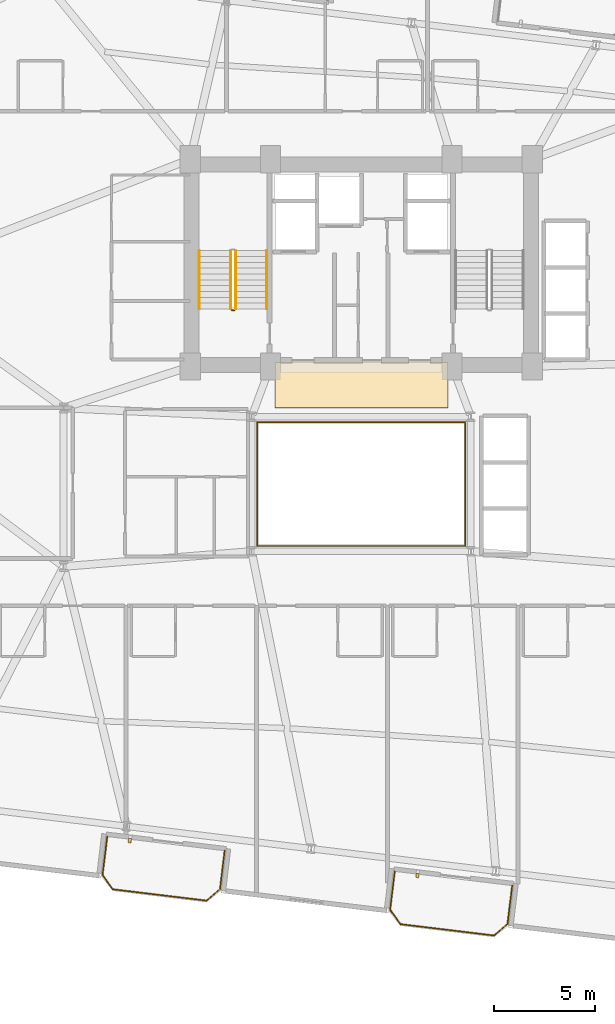
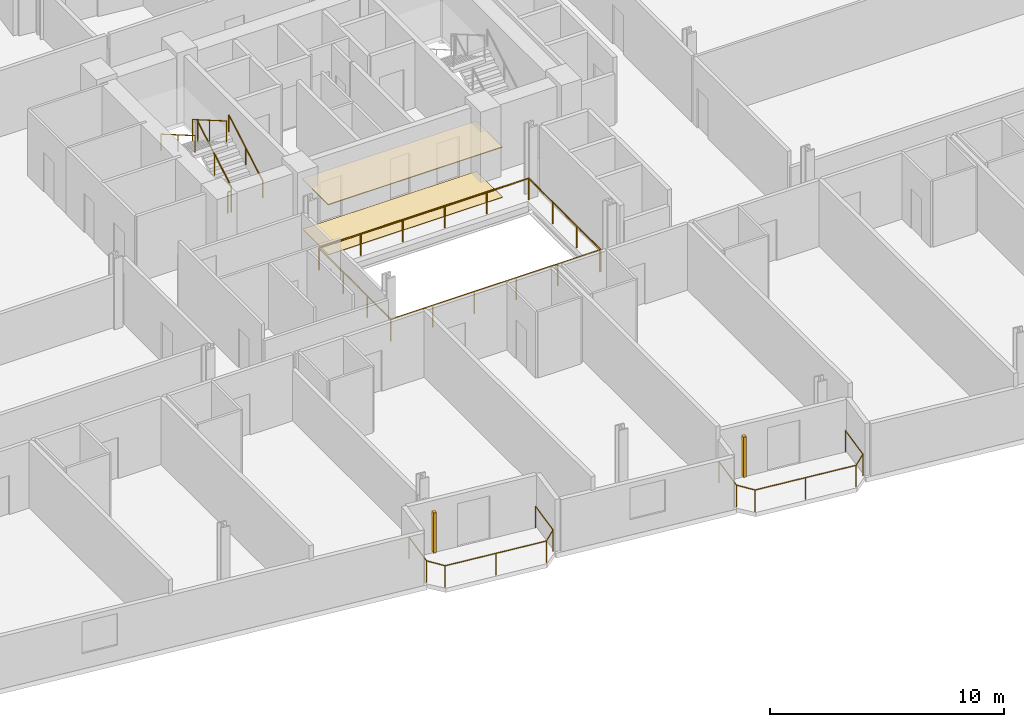
# One storey, part 25 of 26: 9 railings, 2 coverings, 2 shading devices.
"""IFC4 building model written with IfcOpenShell, lengths in metres."""

from ifc_helpers import new_model, si_unit, direction, frame, origin, origin_2d, place, context, subcontext, project, spatial, rectangle, circle, extrude, source, transform, mapped, material, layer, layer_set, type_object, element, save


model = new_model("IFC4")

# Units and contexts
model_context = context("Model", 3, precision=1e-05, world=origin(), true_north=direction((0.0, 1.0)))
body_context = subcontext(model_context, "Body", "Model", "MODEL_VIEW")
ifc_project = project(units=[si_unit("LENGTHUNIT", "METRE"), si_unit("AREAUNIT", "SQUARE_METRE"), si_unit("VOLUMEUNIT", "CUBIC_METRE"), si_unit("PLANEANGLEUNIT", "RADIAN"), si_unit("MASSUNIT", "GRAM", prefix="KILO")], contexts=[model_context])

# Site, building, storey
site_placement = place(None, origin())
site = spatial("IfcSite", under=ifc_project, at=site_placement, CompositionType="ELEMENT")
building_placement = place(site_placement, origin())
building = spatial("IfcBuilding", under=site, at=building_placement, Name="Varnelok Gate Tower", CompositionType="ELEMENT")
storey_placement = place(building_placement, frame((0.0, 0.0, 125.39990234375)))
storey = spatial("IfcBuildingStorey", under=building, at=storey_placement, Name="L31", CompositionType="ELEMENT", Elevation=125.39990234375)

# Railings
ifc_material_1 = material(Name="Tempered Laminated Balustrade Glass", Category="glass")
railing_type_1 = type_object("IfcRailingType", Name="RL-ATR-GUARD1150", PredefinedType="GUARDRAIL", material=ifc_material_1)
railing_1_placement = place(storey_placement, frame((34.02001953125, 25.929931640625, 0.0)))
element("IfcRailing", 1, at=railing_1_placement, inside=storey, type_object=railing_type_1, Name="L31 Internal Atrium South-West Guardrail", PredefinedType="GUARDRAIL", context=body_context, shape_type="SweptSolid", body=[
    extrude(circle(Radius=0.02392578125, at=origin_2d()), frame((0.0, 0.0, 1.1259765625), z_axis=(0.0, -1.0, 0.0), x_axis=(1.0, 0.0, 0.0)), (0.0, 0.0, 1.0), 6.10986328125),
    extrude(circle(Radius=0.02392578125, at=origin_2d()), frame((0.0, -6.10986328125, 1.1259765625), z_axis=(1.0, 0.0, 0.0), x_axis=(0.0, 1.0, 0.0)), (0.0, 0.0, 1.0), 10.31005859375),
    extrude(circle(Radius=0.02099609375, at=origin_2d()), origin(), (0.0, 0.0, 1.0), 1.101806640625),
    extrude(circle(Radius=0.02099609375, at=origin_2d()), frame((0.0, -2.03662109375, 0.0)), (0.0, 0.0, 1.0), 1.101806640625),
    extrude(circle(Radius=0.02099609375, at=origin_2d()), frame((0.0, -4.0732421875, 0.0)), (0.0, 0.0, 1.0), 1.101806640625),
    extrude(circle(Radius=0.02099609375, at=origin_2d()), frame((0.0, -6.10986328125, 0.0)), (0.0, 0.0, 1.0), 1.101806640625),
    extrude(circle(Radius=0.02099609375, at=origin_2d()), frame((2.06201171875, -6.10986328125, 0.0)), (0.0, 0.0, 1.0), 1.101806640625),
    extrude(circle(Radius=0.02099609375, at=origin_2d()), frame((4.1240234375, -6.10986328125, 0.0)), (0.0, 0.0, 1.0), 1.101806640625),
    extrude(circle(Radius=0.02099609375, at=origin_2d()), frame((6.18603515625, -6.10986328125, 0.0)), (0.0, 0.0, 1.0), 1.101806640625),
    extrude(circle(Radius=0.02099609375, at=origin_2d()), frame((8.248046875, -6.10986328125, 0.0)), (0.0, 0.0, 1.0), 1.101806640625),
    extrude(circle(Radius=0.02099609375, at=origin_2d()), frame((10.31005859375, -6.10986328125, 0.0)), (0.0, 0.0, 1.0), 1.101806640625),
])
railing_2_placement = place(storey_placement, frame((44.3798828125, 19.820068359375, 0.0)))
element("IfcRailing", 2, at=railing_2_placement, inside=storey, type_object=railing_type_1, Name="L31 Internal Atrium North-East Guardrail", PredefinedType="GUARDRAIL", context=body_context, shape_type="SweptSolid", body=[
    extrude(circle(Radius=0.02392578125, at=origin_2d()), frame((0.0, 0.0, 1.1259765625), z_axis=(0.0, 1.0, 0.0), x_axis=(-1.0, 0.0, 0.0)), (0.0, 0.0, 1.0), 6.159912109375),
    extrude(circle(Radius=0.02392578125, at=origin_2d()), frame((0.0, 6.159912109375, 1.1259765625), z_axis=(-1.0, 0.0, 0.0), x_axis=(0.0, -1.0, 0.0)), (0.0, 0.0, 1.0), 10.35986328125),
    extrude(circle(Radius=0.02099609375, at=origin_2d()), origin(), (0.0, 0.0, 1.0), 1.101806640625),
    extrude(circle(Radius=0.02099609375, at=origin_2d()), frame((0.0, 2.05322265625, 0.0)), (0.0, 0.0, 1.0), 1.101806640625),
    extrude(circle(Radius=0.02099609375, at=origin_2d()), frame((0.0, 4.106689453125, 0.0)), (0.0, 0.0, 1.0), 1.101806640625),
    extrude(circle(Radius=0.02099609375, at=origin_2d()), frame((0.0, 6.159912109375, 0.0)), (0.0, 0.0, 1.0), 1.101806640625),
    extrude(circle(Radius=0.02099609375, at=origin_2d()), frame((-2.072021484375, 6.159912109375, 0.0)), (0.0, 0.0, 1.0), 1.101806640625),
    extrude(circle(Radius=0.02099609375, at=origin_2d()), frame((-4.14404296875, 6.159912109375, 0.0)), (0.0, 0.0, 1.0), 1.101806640625),
    extrude(circle(Radius=0.02099609375, at=origin_2d()), frame((-6.2158203125, 6.159912109375, 0.0)), (0.0, 0.0, 1.0), 1.101806640625),
    extrude(circle(Radius=0.02099609375, at=origin_2d()), frame((-8.287841796875, 6.159912109375, 0.0)), (0.0, 0.0, 1.0), 1.101806640625),
    extrude(circle(Radius=0.02099609375, at=origin_2d()), frame((-10.35986328125, 6.159912109375, 0.0)), (0.0, 0.0, 1.0), 1.101806640625),
])
ifc_material_2 = material(Name="Low-E Laminated Double Glazing IGU", Category="glass")
railing_type_2 = type_object("IfcRailingType", Name="RL-BALC-1150", PredefinedType="BALUSTRADE", material=ifc_material_2)
railing_3_placement = place(storey_placement, frame((26.5703125, 5.375, 0.0)))
element("IfcRailing", 3, at=railing_3_placement, inside=storey, type_object=railing_type_2, Name="L31 South Terrace Balustrade 1", PredefinedType="BALUSTRADE", context=body_context, shape_type="SweptSolid", body=[
    extrude(circle(Radius=0.02392578125, at=origin_2d()), frame((0.0, 0.0, 1.1259765625), z_axis=(-0.120293392036, -0.992738384386, 0.0), x_axis=(0.992738384386, -0.120293392036, 0.0)), (0.0, 0.0, 1.0), 1.919921875),
    extrude(circle(Radius=0.02392578125, at=origin_2d()), frame((-0.23095703125, -1.906005859375, 1.1259765625), z_axis=(0.577971037086, -0.816057277579, 0.0), x_axis=(0.816057277579, 0.577971037086, 0.0)), (0.0, 0.0, 1.0), 0.877685546875),
    extrude(circle(Radius=0.02392578125, at=origin_2d()), frame((0.2763671875, -2.622314453125, 1.1259765625), z_axis=(0.992737542139, -0.120300342591, 0.0), x_axis=(0.120300342591, 0.992737542139, 0.0)), (0.0, 0.0, 1.0), 4.7001953125),
    extrude(circle(Radius=0.02392578125, at=origin_2d()), frame((4.9423828125, -3.187744140625, 1.1259765625), z_axis=(0.756303655992, 0.654220742513, 0.0), x_axis=(-0.654220742513, 0.756303655992, 0.0)), (0.0, 0.0, 1.0), 0.877685546875),
    extrude(circle(Radius=0.02392578125, at=origin_2d()), frame((5.606201171875, -2.613525390625, 1.1259765625), z_axis=(0.120418709125, 0.992723191274, 0.0), x_axis=(-0.992723191274, 0.120418709125, 0.0)), (0.0, 0.0, 1.0), 1.919921875),
    extrude(circle(Radius=0.02099609375, at=origin_2d()), origin(), (0.0, 0.0, 1.0), 1.101806640625),
    extrude(circle(Radius=0.02099609375, at=origin_2d()), frame((-0.23095703125, -1.906005859375, 0.0)), (0.0, 0.0, 1.0), 1.101806640625),
    extrude(circle(Radius=0.02099609375, at=origin_2d()), frame((0.2763671875, -2.622314453125, 0.0)), (0.0, 0.0, 1.0), 1.101806640625),
    extrude(circle(Radius=0.02099609375, at=origin_2d()), frame((2.609375, -2.905029296875, 0.0)), (0.0, 0.0, 1.0), 1.101806640625),
    extrude(circle(Radius=0.02099609375, at=origin_2d()), frame((4.9423828125, -3.187744140625, 0.0)), (0.0, 0.0, 1.0), 1.101806640625),
    extrude(circle(Radius=0.02099609375, at=origin_2d()), frame((5.606201171875, -2.613525390625, 0.0)), (0.0, 0.0, 1.0), 1.101806640625),
    extrude(circle(Radius=0.02099609375, at=origin_2d()), frame((5.83740234375, -0.70751953125, 0.0)), (0.0, 0.0, 1.0), 1.101806640625),
])
railing_4_placement = place(storey_placement, frame((40.86572265625, 3.64208984375, 0.0)))
element("IfcRailing", 4, at=railing_4_placement, inside=storey, type_object=railing_type_2, Name="L31 South Terrace Balustrade 2", PredefinedType="BALUSTRADE", context=body_context, shape_type="SweptSolid", body=[
    extrude(circle(Radius=0.02392578125, at=origin_2d()), frame((0.0, 0.0, 1.1259765625), z_axis=(-0.120418709125, -0.992723191274, 0.0), x_axis=(0.992723191274, -0.120418709125, 0.0)), (0.0, 0.0, 1.0), 1.919921875),
    extrude(circle(Radius=0.02392578125, at=origin_2d()), frame((-0.231201171875, -1.906005859375, 1.1259765625), z_axis=(0.57815621837, -0.815926091726, 0.0), x_axis=(0.815926091726, 0.57815621837, 0.0)), (0.0, 0.0, 1.0), 0.8779296875),
    extrude(circle(Radius=0.02392578125, at=origin_2d()), frame((0.2763671875, -2.622314453125, 1.1259765625), z_axis=(0.99273133746, -0.120351533534, 0.0), x_axis=(0.120351533534, 0.99273133746, 0.0)), (0.0, 0.0, 1.0), 4.7001953125),
    extrude(circle(Radius=0.02392578125, at=origin_2d()), frame((4.9423828125, -3.18798828125, 1.1259765625), z_axis=(0.756166036083, 0.654379802465, 0.0), x_axis=(-0.654379802465, 0.756166036083, 0.0)), (0.0, 0.0, 1.0), 0.8779296875),
    extrude(circle(Radius=0.02392578125, at=origin_2d()), frame((5.606201171875, -2.613525390625, 1.1259765625), z_axis=(0.120293392036, 0.992738384386, 0.0), x_axis=(-0.992738384386, 0.120293392036, 0.0)), (0.0, 0.0, 1.0), 1.919921875),
    extrude(circle(Radius=0.02099609375, at=origin_2d()), origin(), (0.0, 0.0, 1.0), 1.101806640625),
    extrude(circle(Radius=0.02099609375, at=origin_2d()), frame((-0.231201171875, -1.906005859375, 0.0)), (0.0, 0.0, 1.0), 1.101806640625),
    extrude(circle(Radius=0.02099609375, at=origin_2d()), frame((0.2763671875, -2.622314453125, 0.0)), (0.0, 0.0, 1.0), 1.101806640625),
    extrude(circle(Radius=0.02099609375, at=origin_2d()), frame((2.609375, -2.9052734375, 0.0)), (0.0, 0.0, 1.0), 1.101806640625),
    extrude(circle(Radius=0.02099609375, at=origin_2d()), frame((4.9423828125, -3.18798828125, 0.0)), (0.0, 0.0, 1.0), 1.101806640625),
    extrude(circle(Radius=0.02099609375, at=origin_2d()), frame((5.606201171875, -2.613525390625, 0.0)), (0.0, 0.0, 1.0), 1.101806640625),
    extrude(circle(Radius=0.02099609375, at=origin_2d()), frame((5.837158203125, -0.70751953125, 0.0)), (0.0, 0.0, 1.0), 1.101806640625),
])
ifc_material_3 = material(Name="Brushed Stainless Steel AISI 316", Category="steel")
railing_type_3 = type_object("IfcRailingType", Name="RL-HANDRAIL-900", PredefinedType="HANDRAIL", material=ifc_material_3)
railing_5_placement = place(storey_placement, frame((34.5, 31.60009765625, 0.168212890625)))
element("IfcRailing", 5, at=railing_5_placement, inside=storey, type_object=railing_type_3, Name="L31 ST-1 stair handrail 1", PredefinedType="HANDRAIL", context=body_context, shape_type="SweptSolid", body=[
    extrude(circle(Radius=0.02392578125, at=origin_2d()), frame((0.0, 0.0, 0.8759765625), z_axis=(0.0, 0.865038774852, 0.501705010941), x_axis=(-1.0, 0.0, 0.0)), (0.0, 0.0, 1.0), 3.352294921875),
    extrude(circle(Radius=0.02099609375, at=origin_2d()), origin(), (0.0, 0.0, 1.0), 0.851806640625),
    extrude(circle(Radius=0.02099609375, at=origin_2d()), frame((0.0, 1.449951171875, 0.8408203125)), (0.0, 0.0, 1.0), 0.851806640625),
    extrude(circle(Radius=0.02099609375, at=origin_2d()), frame((0.0, 2.89990234375, 1.681884765625)), (0.0, 0.0, 1.0), 0.851806640625),
])
railing_6_placement = place(storey_placement, frame((31.14990234375, 34.5, 2.018310546875)))
element("IfcRailing", 6, at=railing_6_placement, inside=storey, type_object=railing_type_3, Name="L31 ST-1 stair handrail 2", PredefinedType="HANDRAIL", context=body_context, shape_type="SweptSolid", body=[
    extrude(circle(Radius=0.02392578125, at=origin_2d()), frame((0.0, 0.0, 0.8759765625), z_axis=(0.0, -0.865038774852, 0.501705010941), x_axis=(1.0, 0.0, 0.0)), (0.0, 0.0, 1.0), 3.352294921875),
    extrude(circle(Radius=0.02099609375, at=origin_2d()), origin(), (0.0, 0.0, 1.0), 0.851806640625),
    extrude(circle(Radius=0.02099609375, at=origin_2d()), frame((0.0, -1.449951171875, 0.8408203125)), (0.0, 0.0, 1.0), 0.851806640625),
    extrude(circle(Radius=0.02099609375, at=origin_2d()), frame((0.0, -2.89990234375, 1.681884765625)), (0.0, 0.0, 1.0), 0.851806640625),
])
ifc_material_4 = material(Name="Galvanized Steel Grade S350GD", Category="steel")
railing_type_4 = type_object("IfcRailingType", Name="RL-STAIR-GUARD1120", PredefinedType="GUARDRAIL", material=ifc_material_4)
railing_7_placement = place(storey_placement, frame((32.949951171875, 31.60009765625, 0.168212890625)))
element("IfcRailing", 7, at=railing_7_placement, inside=storey, type_object=railing_type_4, Name="L31 ST-1 stair guard 1", PredefinedType="GUARDRAIL", context=body_context, shape_type="SweptSolid", body=[
    extrude(circle(Radius=0.02392578125, at=origin_2d()), frame((0.0, 0.0, 1.09619140625), z_axis=(0.0, 0.865038774852, 0.501705010941), x_axis=(-1.0, 0.0, 0.0)), (0.0, 0.0, 1.0), 3.352294921875),
    extrude(circle(Radius=0.02099609375, at=origin_2d()), origin(), (0.0, 0.0, 1.0), 1.072021484375),
    extrude(circle(Radius=0.02099609375, at=origin_2d()), frame((0.0, 1.449951171875, 0.8408203125)), (0.0, 0.0, 1.0), 1.072021484375),
    extrude(circle(Radius=0.02099609375, at=origin_2d()), frame((0.0, 2.89990234375, 1.681884765625)), (0.0, 0.0, 1.0), 1.072021484375),
])
railing_8_placement = place(storey_placement, frame((32.699951171875, 34.5, 2.018310546875)))
element("IfcRailing", 8, at=railing_8_placement, inside=storey, type_object=railing_type_4, Name="L31 ST-1 stair guard 3", PredefinedType="GUARDRAIL", context=body_context, shape_type="SweptSolid", body=[
    extrude(circle(Radius=0.02392578125, at=origin_2d()), frame((0.0, 0.0, 1.09619140625), z_axis=(0.0, -0.865038774852, 0.501705010941), x_axis=(1.0, 0.0, 0.0)), (0.0, 0.0, 1.0), 3.352294921875),
    extrude(circle(Radius=0.02099609375, at=origin_2d()), origin(), (0.0, 0.0, 1.0), 1.072021484375),
    extrude(circle(Radius=0.02099609375, at=origin_2d()), frame((0.0, -1.449951171875, 0.8408203125)), (0.0, 0.0, 1.0), 1.072021484375),
    extrude(circle(Radius=0.02099609375, at=origin_2d()), frame((0.0, -2.89990234375, 1.681884765625)), (0.0, 0.0, 1.0), 1.072021484375),
])
railing_9_placement = place(storey_placement, frame((32.89990234375, 31.550048828125, 0.0)))
element("IfcRailing", 9, at=railing_9_placement, inside=storey, type_object=railing_type_4, Name="L31 ST-1 stair guard 4", PredefinedType="GUARDRAIL", context=body_context, shape_type="SweptSolid", body=[
    extrude(circle(Radius=0.02392578125, at=origin_2d()), frame((0.0, 0.0, 1.09619140625), z_axis=(-1.0, 0.0, 0.0), x_axis=(0.0, -1.0, 0.0)), (0.0, 0.0, 1.0), 0.14990234375),
    extrude(circle(Radius=0.02099609375, at=origin_2d()), origin(), (0.0, 0.0, 1.0), 1.072021484375),
    extrude(circle(Radius=0.02099609375, at=origin_2d()), frame((-0.14990234375, 0.0, 0.0)), (0.0, 0.0, 1.0), 1.072021484375),
])

# Shading devices
ifc_material_5 = material(Name="Glazed Architectural Terracotta Ceramic", Category="masonry")
shading_device_type = type_object("IfcShadingDeviceType", Name="SHD-TERRA-FIN", PredefinedType="USERDEFINED", material=ifc_material_5)
shared_shape_1 = source(origin(), body_context, "Body", "SweptSolid", [
    extrude(rectangle(XDim=0.139892578125, YDim=0.219970703125, at=origin_2d()), origin(), (0.0, 0.0, 1.0), 2.10009765625),
])
for number, where, z_axis, x_axis, name in (
    (10, (27.693603515625, 5.16845703125, 0.10009765625), (0.0, 0.0, 1.0), (0.992732158755, -0.12034475881, 0.0), "L31 Terracotta Ceramic Baguette Sunscreen 1.1"),
    (11, (41.989013671875, 3.435546875, 0.10009765625), (0.0, 0.0, 1.0), (0.992732158755, -0.12034475881, 0.0), "L31 Terracotta Ceramic Baguette Sunscreen 2.1"),
):
    element("IfcShadingDevice", number, at=place(storey_placement, frame(where, z_axis=z_axis, x_axis=x_axis)), inside=storey, type_object=shading_device_type, Name=name, ObjectType="BAGUETTE", PredefinedType="USERDEFINED", context=body_context, shape_type="MappedRepresentation", body=[
        mapped(shared_shape_1, transform((0.0, 0.0, 0.0), scale=1.0)),
    ])

# Coverings
ifc_material_6 = material(Name="Honed Travertine Stone Flooring", Category="masonry")
ifc_layer_1 = layer(ifc_material_6, 0.02490234375)
ifc_layer_set_1 = layer_set([ifc_layer_1], Name="Honed Travertine Stone Flooring")
covering_type_1 = type_object("IfcCoveringType", Name="COV-FLOR-STONE", PredefinedType="FLOORING", material=ifc_layer_set_1)
shared_shape_2 = source(origin(), body_context, "Body", "SweptSolid", [
    extrude(rectangle(XDim=8.60009765625, YDim=2.219970703125, at=origin_2d()), origin(), (0.0, 0.0, 1.0), 0.02490234375),
])
covering_1_placement = place(storey_placement, frame((39.199951171875, 27.800048828125, 0.000244140625), z_axis=(0.0, 0.0, 1.0), x_axis=(1.0, 0.0, 0.0)))
element("IfcCovering", 12, at=covering_1_placement, inside=storey, type_object=covering_type_1, Name="L31 Core Gallery Stone Flooring", PredefinedType="FLOORING", context=body_context, shape_type="MappedRepresentation", body=[
    mapped(shared_shape_2, transform((0.0, 0.0, 0.0), scale=1.0)),
])
ifc_material_7 = material(Name="Mineral Fiber Acoustic Ceiling Tile")
ifc_layer_2 = layer(ifc_material_7, 0.0400390625)
ifc_layer_set_2 = layer_set([ifc_layer_2], Name="Mineral Fiber Acoustic Ceiling Tile")
covering_type_2 = type_object("IfcCoveringType", Name="COV-CEIL-ACOUST", PredefinedType="CEILING", material=ifc_layer_set_2)
shared_shape_3 = source(origin(), body_context, "Body", "SweptSolid", [
    extrude(rectangle(XDim=8.60009765625, YDim=2.239990234375, at=origin_2d()), origin(), (0.0, 0.0, 1.0), 0.0400390625),
])
covering_2_placement = place(storey_placement, frame((39.199951171875, 27.820068359375, 2.60009765625), z_axis=(0.0, 0.0, 1.0), x_axis=(1.0, 0.0, 0.0)))
element("IfcCovering", 13, at=covering_2_placement, inside=storey, type_object=covering_type_2, Name="L31 Core Gallery Acoustic Ceiling", PredefinedType="CEILING", context=body_context, shape_type="MappedRepresentation", body=[
    mapped(shared_shape_3, transform((0.0, 0.0, 0.0), scale=1.0)),
])

save(model, "model.ifc")
